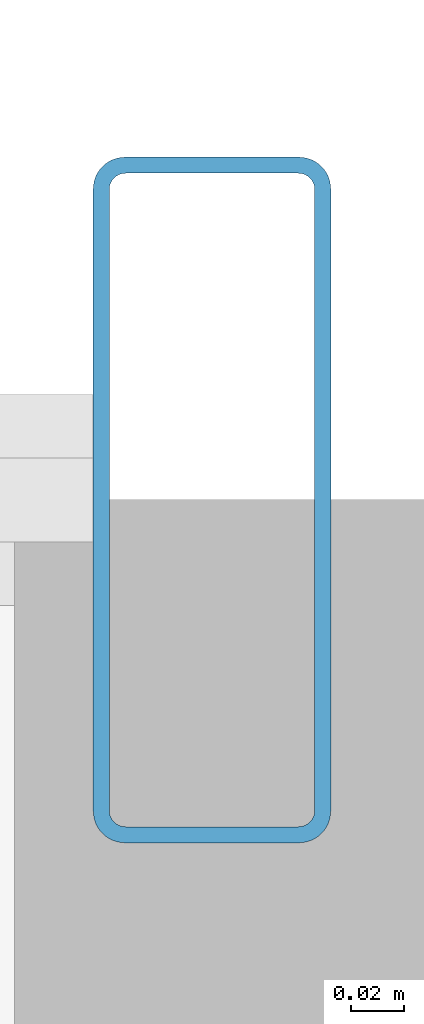
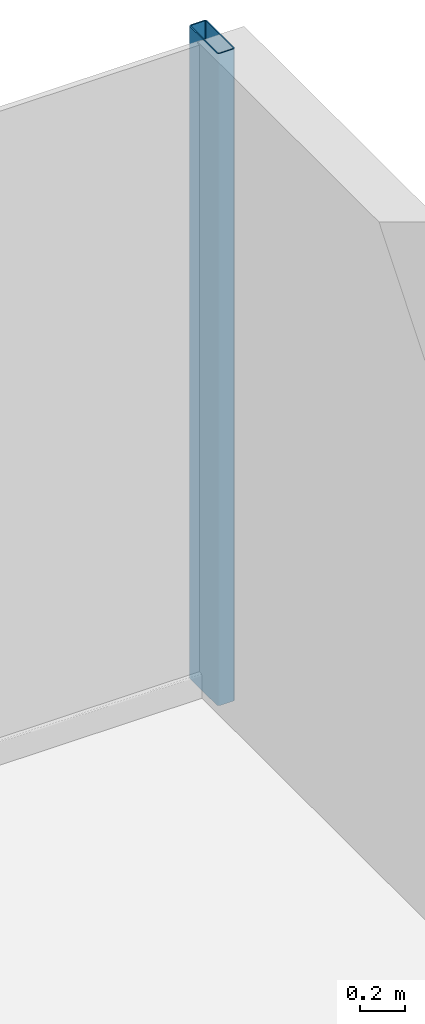
# One storey, part 17 of 29: 1 member, 1 element without a shape of its own.
"""IFC4 building model written with IfcOpenShell, lengths in metres."""

import ifcopenshell
import ifcopenshell.guid

model = None  # the IFC model being written
_history = None  # IfcOwnerHistory: only IFC2X3 demands one
_inside = {}  # id of a spatial element -> (the spatial element, [elements in it])
_under = {}  # id of a project, library or spatial element -> (it, [spatial elements below it])
_declared = {}  # id of a project -> (the project, [libraries it declares])
_typed = {}  # id of a type object -> (the type object, [elements of that type])
_made_of = {}  # id of a material, layer set ... -> (it, [elements and type objects made of it])


def new_model(schema):
    """Start an empty IFC model of exactly this schema.

    Asked for "IFC4X3", IfcOpenShell would pick the latest addendum, in which some entities
    have other attributes; the version numbers below select the first issue.
    IFC2X3 requires an IfcOwnerHistory on every rooted entity: one is made here for all.
    """
    global model, _history
    if schema == "IFC4X3":
        model = ifcopenshell.file(schema_version=(4, 3, 0, 0))
    else:
        model = ifcopenshell.file(schema=schema)
    _inside.clear()
    _under.clear()
    _declared.clear()
    _typed.clear()
    _made_of.clear()
    _history = None
    if model.schema == "IFC2X3":
        org = make("IfcOrganization", Name="unknown")
        user = make(
            "IfcPersonAndOrganization",
            ThePerson=make("IfcPerson", FamilyName="unknown"),
            TheOrganization=org,
        )
        app = make(
            "IfcApplication",
            ApplicationDeveloper=org,
            Version="unknown",
            ApplicationFullName="unknown",
            ApplicationIdentifier="unknown",
        )
        _history = make(
            "IfcOwnerHistory",
            OwningUser=user,
            OwningApplication=app,
            ChangeAction="ADDED",
            CreationDate=0,
        )
    return model


def make(cls, **values):
    """One entity of the class cls with the attributes given. An attribute that is None is left unset."""
    return model.create_entity(
        cls, **{name: value for name, value in values.items() if value is not None}
    )


def rooted(cls, **values):
    """An entity with a GlobalId (a new one), such as an element, a storey or a relation."""
    return make(cls, GlobalId=ifcopenshell.guid.new(), OwnerHistory=_history, **values)


def si_unit(unit_type, name, prefix=None):
    """IfcSIUnit, for example si_unit("LENGTHUNIT", "METRE", prefix="MILLI")."""
    return make("IfcSIUnit", UnitType=unit_type, Prefix=prefix, Name=name)


def assignment(units):
    """IfcUnitAssignment: the units of a project."""
    return None if units is None else make("IfcUnitAssignment", Units=units)


def point(xyz):
    """IfcCartesianPoint."""
    return None if xyz is None else make("IfcCartesianPoint", Coordinates=xyz)


def direction(xyz):
    """IfcDirection."""
    return None if xyz is None else make("IfcDirection", DirectionRatios=xyz)


def frame(location, z_axis=None, x_axis=None):
    """IfcAxis2Placement3D, a coordinate frame: its origin and axes. An axis left out is left unset."""
    return make(
        "IfcAxis2Placement3D",
        Location=point(location),
        Axis=direction(z_axis),
        RefDirection=direction(x_axis),
    )


def frame_2d(location, x_axis=None):
    """IfcAxis2Placement2D, a coordinate frame in the plane: its origin and x axis."""
    return make(
        "IfcAxis2Placement2D", Location=point(location), RefDirection=direction(x_axis)
    )


def origin():
    """The frame at (0, 0, 0) with its axes left unset."""
    return frame((0.0, 0.0, 0.0))


def origin_2d():
    """The frame at (0, 0) in the plane with its x axis left unset."""
    return frame_2d((0.0, 0.0))


def place(relative_to, where):
    """IfcLocalPlacement: puts the frame where relative to a parent placement (None: the world)."""
    return make(
        "IfcLocalPlacement", PlacementRelTo=relative_to, RelativePlacement=where
    )


def context(
    kind, dimensions, precision=None, world=None, true_north=None, identifier=None
):
    """IfcGeometricRepresentationContext, for example the 3D "Model" context."""
    return make(
        "IfcGeometricRepresentationContext",
        ContextIdentifier=identifier,
        ContextType=kind,
        CoordinateSpaceDimension=dimensions,
        Precision=precision,
        WorldCoordinateSystem=world,
        TrueNorth=true_north,
    )


def subcontext(parent, identifier, kind, view, scale=None):
    """IfcGeometricRepresentationSubContext, for example "Body" below "Model"."""
    return make(
        "IfcGeometricRepresentationSubContext",
        ContextIdentifier=identifier,
        ContextType=kind,
        ParentContext=parent,
        TargetScale=scale,
        TargetView=view,
    )


def project(units=None, contexts=None):
    """IfcProject with its units and contexts."""
    return rooted(
        "IfcProject",
        Name="project",
        RepresentationContexts=contexts,
        UnitsInContext=assignment(units),
    )


def spatial(cls, under=None, at=None, **own):
    """A site, building, storey or space (cls), placed at a placement, below another one or the project."""
    s = rooted(cls, ObjectPlacement=at, **own)
    if under is not None:
        _under.setdefault(under.id(), (under, []))[1].append(s)
    return s


def profile(cls, at=None, kind="AREA", **sizes):
    """A parametric profile (cls). Its sizes go by their IFC names, for example OverallWidth=200.0."""
    return make(cls, ProfileType=kind, Position=at, **sizes)


def hollow_rectangle(**sizes):
    """IfcRectangleHollowProfileDef."""
    return profile("IfcRectangleHollowProfileDef", **sizes)


def extrude(swept, where, along, depth):
    """IfcExtrudedAreaSolid: the profile swept, set in the frame where, extruded along a direction by depth."""
    return make(
        "IfcExtrudedAreaSolid",
        SweptArea=swept,
        Position=where,
        ExtrudedDirection=direction(along),
        Depth=depth,
    )


def shape(context_of_items, identifier, shape_type, items):
    """IfcShapeRepresentation: the items that make up one representation, for example the "Body"."""
    return make(
        "IfcShapeRepresentation",
        ContextOfItems=context_of_items,
        RepresentationIdentifier=identifier,
        RepresentationType=shape_type,
        Items=items,
    )


def source(mapping_origin, context_of_items, identifier, shape_type, items):
    """IfcRepresentationMap: a shape defined once, which mapped items show again and again."""
    return make(
        "IfcRepresentationMap",
        MappingOrigin=mapping_origin,
        MappedRepresentation=shape(context_of_items, identifier, shape_type, items),
    )


def transform(
    local_origin,
    x_axis=None,
    y_axis=None,
    z_axis=None,
    scale=None,
    scale2=None,
    scale3=None,
    uniform=True,
):
    """IfcCartesianTransformationOperator3D, or its non-uniform kind. x_axis, y_axis, z_axis: its Axis1, 2, 3."""
    if uniform:
        return make(
            "IfcCartesianTransformationOperator3D",
            Axis1=direction(x_axis),
            Axis2=direction(y_axis),
            LocalOrigin=point(local_origin),
            Scale=scale,
            Axis3=direction(z_axis),
        )
    return make(
        "IfcCartesianTransformationOperator3DnonUniform",
        Axis1=direction(x_axis),
        Axis2=direction(y_axis),
        LocalOrigin=point(local_origin),
        Scale=scale,
        Axis3=direction(z_axis),
        Scale2=scale2,
        Scale3=scale3,
    )


def mapped(mapping_source, mapping_target):
    """IfcMappedItem: shows the shape of a source again, moved by a transform."""
    return make(
        "IfcMappedItem", MappingSource=mapping_source, MappingTarget=mapping_target
    )


def material(Name=None, Category=None):
    """IfcMaterial."""
    return make("IfcMaterial", Name=Name, Category=Category)


def layer(
    of_material, thickness, ventilated=None, Name=None, Category=None, Priority=None
):
    """IfcMaterialLayer: one layer of a wall or slab, of a material (None: an air gap)."""
    return make(
        "IfcMaterialLayer",
        Material=of_material,
        LayerThickness=thickness,
        IsVentilated=ventilated,
        Name=Name,
        Category=Category,
        Priority=Priority,
    )


def layer_set(layers, Name=None):
    """IfcMaterialLayerSet."""
    return make("IfcMaterialLayerSet", MaterialLayers=layers, LayerSetName=Name)


def material_profile(
    of_material, cross_section, Name=None, Category=None, Priority=None
):
    """IfcMaterialProfile: a cross section and its material."""
    return make(
        "IfcMaterialProfile",
        Name=Name,
        Material=of_material,
        Profile=cross_section,
        Priority=Priority,
        Category=Category,
    )


def profile_set(profiles, Name=None, composite=None):
    """IfcMaterialProfileSet."""
    return make(
        "IfcMaterialProfileSet",
        Name=Name,
        MaterialProfiles=profiles,
        CompositeProfile=composite,
    )


def made_of(thing, what):
    """Note that an element or type object is made of a material, layer set ...; save() writes the relation."""
    if what is not None:
        _made_of.setdefault(what.id(), (what, []))[1].append(thing)
    return thing


def type_object(cls, material=None, **own):
    """A type object (cls), such as IfcWallType, which elements share."""
    return made_of(rooted(cls, **own), material)


def element(
    cls,
    number,
    at=None,
    inside=None,
    cuts=None,
    type_object=None,
    material=None,
    context=None,
    identifier="Body",
    shape_type=None,
    held_by="IfcProductDefinitionShape",
    body=None,
    shapes=None,
    **own,
):
    """One element of the class cls, such as IfcWall. Its Tag is "e" and its number.

    at: its placement. inside: the storey or other place that contains it. cuts: it is an
    opening in that element (IfcRelVoidsElement). A single representation is given by context,
    identifier, shape_type and body (its items); several are given by shapes. held_by: the class
    of the entity that holds the representations. save() writes the other relations.
    """
    e = rooted(cls, Tag="e%d" % number, ObjectPlacement=at, **own)
    if body is not None:
        shapes = [shape(context, identifier, shape_type, body)]
    if shapes is not None:
        e.Representation = make(held_by, Representations=shapes)
    if inside is not None:
        _inside.setdefault(inside.id(), (inside, []))[1].append(e)
    if cuts is not None:
        rooted(
            "IfcRelVoidsElement", RelatingBuildingElement=cuts, RelatedOpeningElement=e
        )
    if type_object is not None:
        _typed.setdefault(type_object.id(), (type_object, []))[1].append(e)
    return made_of(e, material)


def aggregate(whole, parts):
    """IfcRelAggregates: a whole, such as a stair, and the parts it consists of."""
    return rooted("IfcRelAggregates", RelatingObject=whole, RelatedObjects=parts)


def save(model, path):
    """Write the relations noted so far, then the file.

    IfcRelAggregates (storeys below a building ...), IfcRelContainedInSpatialStructure (elements
    in a storey), IfcRelDefinesByType, IfcRelAssociatesMaterial and IfcRelDeclares: one each for
    every whole, place, type object, material and project.
    """
    for whole, parts in _under.values():
        aggregate(whole, parts)
    for where, things in _inside.values():
        rooted(
            "IfcRelContainedInSpatialStructure",
            RelatedElements=things,
            RelatingStructure=where,
        )
    for kind, things in _typed.values():
        rooted("IfcRelDefinesByType", RelatedObjects=things, RelatingType=kind)
    for what, things in _made_of.values():
        rooted("IfcRelAssociatesMaterial", RelatedObjects=things, RelatingMaterial=what)
    for by, libraries in _declared.values():
        rooted("IfcRelDeclares", RelatingContext=by, RelatedDefinitions=libraries)
    model.write(path)


model = new_model("IFC4")

# Units and contexts
model_context = context("Model", 3, precision=1e-05, world=origin(), true_north=direction((0.0, 1.0)))
body_context = subcontext(model_context, "Body", "Model", "MODEL_VIEW")
ifc_project = project(units=[si_unit("LENGTHUNIT", "METRE"), si_unit("AREAUNIT", "SQUARE_METRE"), si_unit("VOLUMEUNIT", "CUBIC_METRE"), si_unit("PLANEANGLEUNIT", "RADIAN"), si_unit("MASSUNIT", "GRAM", prefix="KILO")], contexts=[model_context])

# Site, building, storey
site_placement = place(None, origin())
site = spatial("IfcSite", under=ifc_project, at=site_placement, CompositionType="ELEMENT")
building_placement = place(site_placement, origin())
building = spatial("IfcBuilding", under=site, at=building_placement, Name="Nefas-Gora Pilgrimage Tower", CompositionType="ELEMENT")
storey_placement = place(building_placement, frame((0.0, 0.0, 67.199951171875)))
storey = spatial("IfcBuildingStorey", under=building, at=storey_placement, Name="L15", CompositionType="ELEMENT", Elevation=67.199951171875)

# Curtain wall, member
ifc_material_1 = material(Name="Dark ceramic-fritted solar-control aluminium-glass curtain wall", Category="aluminium")
ifc_layer = layer(ifc_material_1, 0.219970703125)
ifc_layer_set = layer_set([ifc_layer], Name="Dark ceramic-fritted solar-control aluminium-glass curtain wall")
curtain_wall_type = type_object("IfcCurtainWallType", Name="CW-SYS-2", PredefinedType="NOTDEFINED", material=ifc_layer_set)
curtain_wall_placement = place(storey_placement, origin())
curtain_wall = element("IfcCurtainWall", 1, at=curtain_wall_placement, inside=storey, type_object=curtain_wall_type, Name="L15 Unitised Curtain Wall CW2", PredefinedType="NOTDEFINED")
ifc_material_2 = material(Name="Anodised architectural aluminium", Category="aluminium")
ifc_material_profile = material_profile(ifc_material_2, hollow_rectangle(XDim=0.090087890625, YDim=0.260009765625, WallThickness=0.006103515625, InnerFilletRadius=0.006103515625, OuterFilletRadius=0.011962890625, at=origin_2d()), Name="ALU MULLION 90x260")
ifc_profile_set = profile_set([ifc_material_profile], Name="Anodised architectural aluminium")
member_type = type_object("IfcMemberType", Name="CWM-MUL-2", PredefinedType="MULLION", material=ifc_profile_set)
shared_shape = source(origin(), body_context, "Body", "SweptSolid", [
    extrude(hollow_rectangle(XDim=0.090087890625, YDim=0.260009765625, WallThickness=0.006103515625, InnerFilletRadius=0.006103515625, OuterFilletRadius=0.011962890625, at=origin_2d()), origin(), (0.0, 0.0, 1.0), 3.550048828125),
])
member_placement = place(storey_placement, frame((28.824951171875, 23.02001953125, 0.0), z_axis=(0.0, 0.0, 1.0), x_axis=(-1.0, 0.0, 0.0)))
member = element("IfcMember", 2, at=member_placement, type_object=member_type, Name="CW2 Mullion 1", PredefinedType="MULLION", context=body_context, shape_type="MappedRepresentation", body=[
    mapped(shared_shape, transform((0.0, 0.0, 0.0), x_axis=(1.0, 0.0, 0.0), y_axis=(0.0, 1.0, 0.0), z_axis=(0.0, 0.0, 1.0), scale=1.0)),
])
aggregate(curtain_wall, [member])

save(model, "model.ifc")
